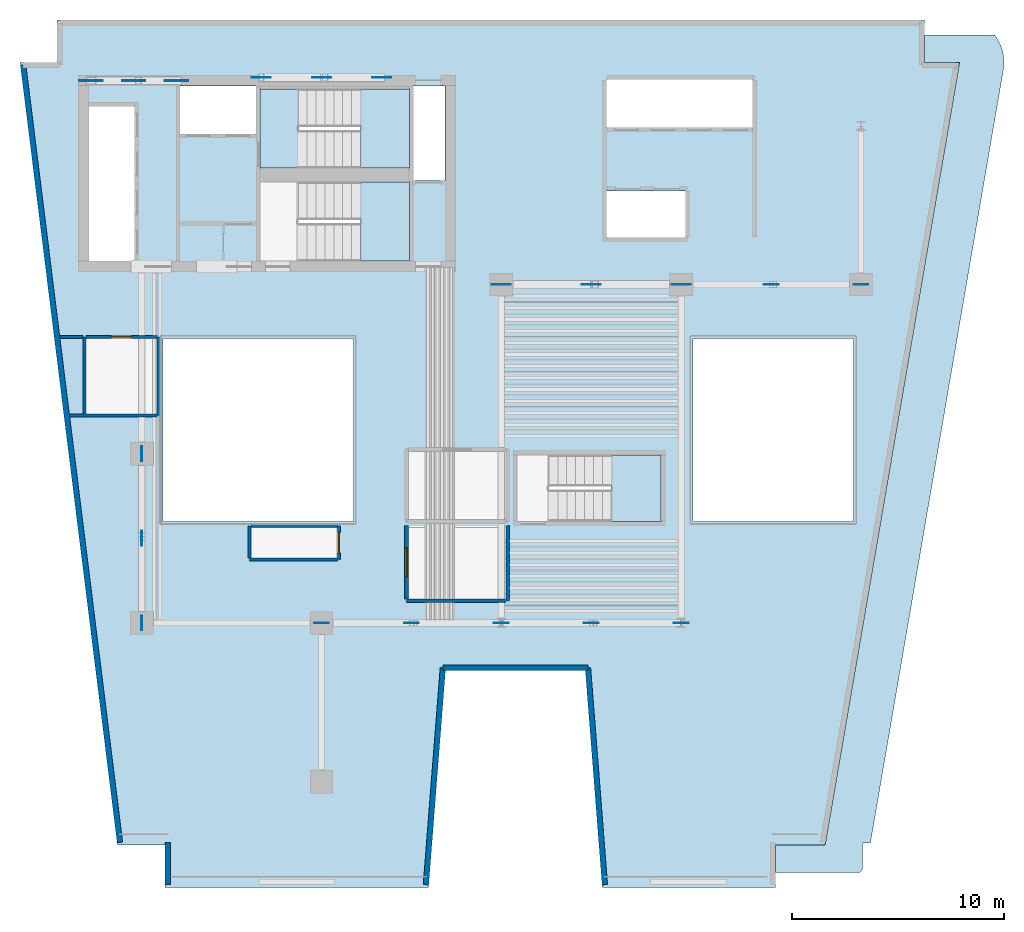
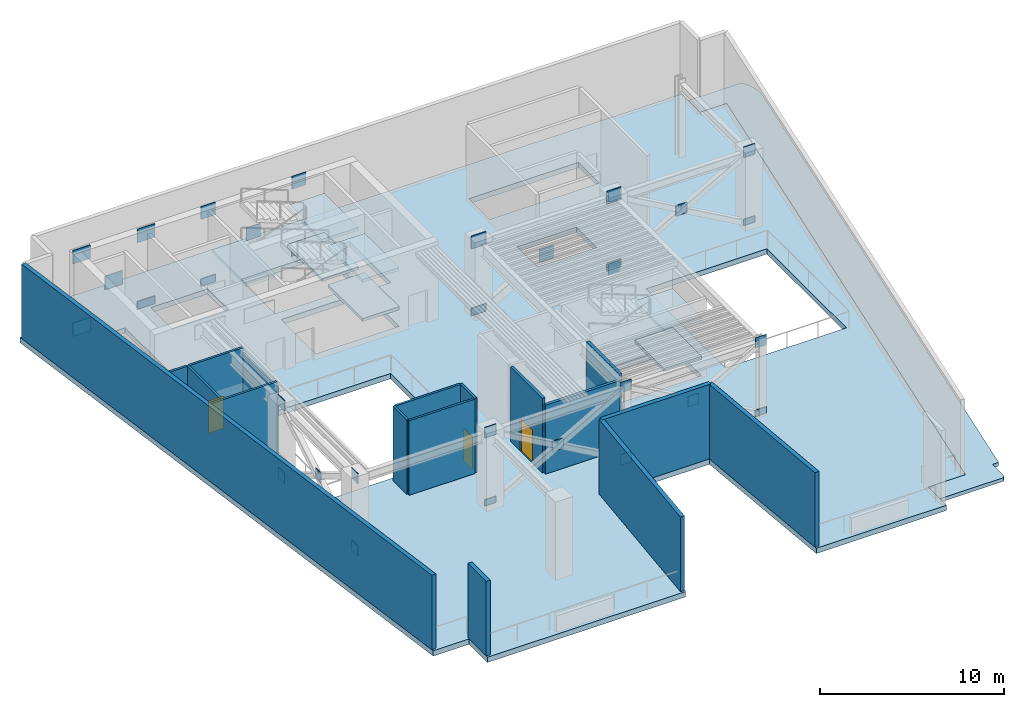
# One storey, part 2 of 8: 33 plates, 17 walls, 9 slabs, 3 doors, 3 openings, 3 elements without a shape of their own.
"""IFC4 building model written with IfcOpenShell, lengths in metres."""

from ifc_helpers import new_model, si_unit, direction, frame, frame_2d, origin, origin_2d, place, context, subcontext, project, spatial, polyline, rectangle, outline, extrude, material, layer, layer_set, type_object, element, fill, aggregate, save


model = new_model("IFC4")

# Units and contexts
model_context = context("Model", 3, precision=1e-05, world=origin(), true_north=direction((0.0, 1.0)))
body_context = subcontext(model_context, "Body", "Model", "MODEL_VIEW")
ifc_project = project(units=[si_unit("LENGTHUNIT", "METRE"), si_unit("AREAUNIT", "SQUARE_METRE"), si_unit("VOLUMEUNIT", "CUBIC_METRE"), si_unit("PLANEANGLEUNIT", "RADIAN"), si_unit("MASSUNIT", "GRAM", prefix="KILO")], contexts=[model_context])

# Site, building, storey
site_placement = place(None, origin())
site = spatial("IfcSite", under=ifc_project, at=site_placement, CompositionType="ELEMENT")
building_placement = place(site_placement, origin())
building = spatial("IfcBuilding", under=site, at=building_placement, Name="Caeloran Harvest Quay", CompositionType="ELEMENT")
storey_placement = place(building_placement, frame((0.0, 0.0, 178.550048828125)))
storey = spatial("IfcBuildingStorey", under=building, at=storey_placement, Name="L42", CompositionType="ELEMENT", Elevation=178.550048828125)

# Plates
ifc_material_1 = material(Name="Steel HISTAR 460", Category="steel")
ifc_layer_1 = layer(ifc_material_1, 0.034912109375, Name="Steel HISTAR 460")
ifc_layer_set_1 = layer_set([ifc_layer_1], Name="Steel HISTAR 460")
plate_type_1 = type_object("IfcPlateType", Name="PLT-KN1-35MM", PredefinedType="SHEET", material=ifc_layer_set_1)
for number, where, z_axis, x_axis, name in (
    (1, (8.5, 15.0, -0.2900390625), (0.0, 0.0, 1.0), (0.0, 1.0, 0.0), "L42 Belt Truss Node and X-Crossing Plate BELT-W1 A-BOT"),
    (2, (8.5, 15.0, 4.52001953125), (0.0, 0.0, 1.0), (0.0, 1.0, 0.0), "L42 Belt Truss Node and X-Crossing Plate BELT-W1 A-TOP"),
    (3, (8.5, 19.0, 2.11474609375), (0.0, 0.0, 1.0), (0.0, 1.0, 0.0), "L42 Belt Truss Node and X-Crossing Plate BELT-W1 XMID"),
    (4, (8.5, 23.0, 4.52001953125), (0.0, 0.0, 1.0), (0.0, 1.0, 0.0), "L42 Belt Truss Node and X-Crossing Plate BELT-W1 B-TOP"),
    (5, (8.5, 23.0, -0.2900390625), (0.0, 0.0, 1.0), (0.0, 1.0, 0.0), "L42 Belt Truss Node and X-Crossing Plate BELT-W1 B-BOT"),
    (6, (17.0, 15.0, -0.2900390625), (0.0, 0.0, 1.0), (1.0, 0.0, 0.0), "L42 Belt Truss Node and X-Crossing Plate BELT-S2 A-BOT"),
    (7, (17.0, 15.0, 4.52001953125), (0.0, 0.0, 1.0), (1.0, 0.0, 0.0), "L42 Belt Truss Node and X-Crossing Plate BELT-S2 A-TOP"),
    (8, (21.25, 15.0, 2.11474609375), (0.0, 0.0, 1.0), (1.0, 0.0, 0.0), "L42 Belt Truss Node and X-Crossing Plate BELT-S2 XMID"),
    (9, (25.5, 15.0, 4.52001953125), (0.0, 0.0, 1.0), (1.0, 0.0, 0.0), "L42 Belt Truss Node and X-Crossing Plate BELT-S2 B-TOP"),
    (10, (25.5, 15.0, -0.2900390625), (0.0, 0.0, 1.0), (1.0, 0.0, 0.0), "L42 Belt Truss Node and X-Crossing Plate BELT-S2 B-BOT"),
    (11, (29.75, 15.0, 2.11474609375), (0.0, 0.0, 1.0), (1.0, 0.0, 0.0), "L42 Belt Truss Node and X-Crossing Plate BELT-S3 XMID"),
    (12, (34.0, 15.0, 4.52001953125), (0.0, 0.0, 1.0), (1.0, 0.0, 0.0), "L42 Belt Truss Node and X-Crossing Plate BELT-S3 B-TOP"),
    (13, (34.0, 15.0, -0.2900390625), (0.0, 0.0, 1.0), (1.0, 0.0, 0.0), "L42 Belt Truss Node and X-Crossing Plate BELT-S3 B-BOT"),
    (14, (34.0, 31.0, -0.2900390625), (0.0, 0.0, 1.0), (1.0, 0.0, 0.0), "L42 Belt Truss Node and X-Crossing Plate BELT-N2 A-BOT"),
    (15, (34.0, 31.0, 4.52001953125), (0.0, 0.0, 1.0), (1.0, 0.0, 0.0), "L42 Belt Truss Node and X-Crossing Plate BELT-N2 A-TOP"),
    (16, (38.25, 31.0, 2.11474609375), (0.0, 0.0, 1.0), (1.0, 0.0, 0.0), "L42 Belt Truss Node and X-Crossing Plate BELT-N2 XMID"),
    (17, (42.5, 31.0, 4.52001953125), (0.0, 0.0, 1.0), (1.0, 0.0, 0.0), "L42 Belt Truss Node and X-Crossing Plate BELT-N2 B-TOP"),
    (18, (42.5, 31.0, -0.2900390625), (0.0, 0.0, 1.0), (1.0, 0.0, 0.0), "L42 Belt Truss Node and X-Crossing Plate BELT-N2 B-BOT"),
):
    element("IfcPlate", number, at=place(storey_placement, frame(where, z_axis=z_axis, x_axis=x_axis)), inside=storey, type_object=plate_type_1, Name=name, PredefinedType="SHEET", context=body_context, shape_type="SweptSolid", body=[
        extrude(rectangle(XDim=0.699951171875, YDim=0.034912109375, at=origin_2d()), origin(), (0.0, 0.0, 1.0), 0.699951171875),
    ])
ifc_layer_2 = layer(ifc_material_1, 0.044921875, Name="Steel HISTAR 460")
ifc_layer_set_2 = layer_set([ifc_layer_2], Name="Steel HISTAR 460")
plate_type_2 = type_object("IfcPlateType", Name="PLT-ON1-45MM", PredefinedType="SHEET", material=ifc_layer_set_2)
for number, where, z_axis, x_axis, name in (
    (19, (6.10009765625, 40.625, -0.389892578125), (0.0, 0.0, 1.0), (1.0, 0.0, 0.0), "L42 Outrigger Node Gusset and End Cap Plate N-CORE1 A-BOT"),
    (20, (6.10009765625, 40.625, 4.419921875), (0.0, 0.0, 1.0), (1.0, 0.0, 0.0), "L42 Outrigger Node Gusset and End Cap Plate N-CORE1 A-TOP"),
    (21, (8.125, 40.625, 2.014892578125), (0.0, 0.0, 1.0), (1.0, 0.0, 0.0), "L42 Outrigger Node Gusset and End Cap Plate N-CORE1 XMID"),
    (22, (10.14990234375, 40.625, 4.419921875), (0.0, 0.0, 1.0), (1.0, 0.0, 0.0), "L42 Outrigger Node Gusset and End Cap Plate N-CORE1 B-TOP"),
    (23, (10.14990234375, 40.625, -0.389892578125), (0.0, 0.0, 1.0), (1.0, 0.0, 0.0), "L42 Outrigger Node Gusset and End Cap Plate N-CORE1 B-BOT"),
):
    element("IfcPlate", number, at=place(storey_placement, frame(where, z_axis=z_axis, x_axis=x_axis)), inside=storey, type_object=plate_type_2, Name=name, PredefinedType="SHEET", context=body_context, shape_type="SweptSolid", body=[
        extrude(rectangle(XDim=1.10009765625, YDim=0.044921875, at=origin_2d()), origin(), (0.0, 0.0, 1.0), 0.89990234375),
    ])
ifc_layer_3 = layer(ifc_material_1, 0.0380859375, Name="Steel HISTAR 460")
ifc_layer_set_3 = layer_set([ifc_layer_3], Name="Steel HISTAR 460")
plate_type_3 = type_object("IfcPlateType", Name="PLT-ON2-38MM", PredefinedType="SHEET", material=ifc_layer_set_3)
for number, where, z_axis, x_axis, name in (
    (24, (14.14990234375, 40.780029296875, -0.364990234375), (0.0, 0.0, 1.0), (1.0, 0.0, 0.0), "L42 Outrigger Node Gusset and End Cap Plate N-CORE2 A-BOT"),
    (25, (14.14990234375, 40.780029296875, 4.44482421875), (0.0, 0.0, 1.0), (1.0, 0.0, 0.0), "L42 Outrigger Node Gusset and End Cap Plate N-CORE2 A-TOP"),
    (26, (17.0, 40.780029296875, 2.039794921875), (0.0, 0.0, 1.0), (1.0, 0.0, 0.0), "L42 Outrigger Node Gusset and End Cap Plate N-CORE2 XMID"),
    (27, (19.85009765625, 40.780029296875, 4.44482421875), (0.0, 0.0, 1.0), (1.0, 0.0, 0.0), "L42 Outrigger Node Gusset and End Cap Plate N-CORE2 B-TOP"),
    (28, (19.85009765625, 40.780029296875, -0.364990234375), (0.0, 0.0, 1.0), (1.0, 0.0, 0.0), "L42 Outrigger Node Gusset and End Cap Plate N-CORE2 B-BOT"),
    (29, (25.5, 31.0, -0.364990234375), (0.0, 0.0, 1.0), (1.0, 0.0, 0.0), "L42 Outrigger Node Gusset and End Cap Plate N-CORE3 A-BOT"),
    (30, (25.5, 31.0, 4.44482421875), (0.0, 0.0, 1.0), (1.0, 0.0, 0.0), "L42 Outrigger Node Gusset and End Cap Plate N-CORE3 A-TOP"),
    (31, (29.75, 31.0, 2.039794921875), (0.0, 0.0, 1.0), (1.0, 0.0, 0.0), "L42 Outrigger Node Gusset and End Cap Plate N-CORE3 XMID"),
    (32, (34.0, 31.0, 4.44482421875), (0.0, 0.0, 1.0), (1.0, 0.0, 0.0), "L42 Outrigger Node Gusset and End Cap Plate N-CORE3 B-TOP"),
    (33, (34.0, 31.0, -0.364990234375), (0.0, 0.0, 1.0), (1.0, 0.0, 0.0), "L42 Outrigger Node Gusset and End Cap Plate N-CORE3 B-BOT"),
):
    element("IfcPlate", number, at=place(storey_placement, frame(where, z_axis=z_axis, x_axis=x_axis)), inside=storey, type_object=plate_type_3, Name=name, PredefinedType="SHEET", context=body_context, shape_type="SweptSolid", body=[
        extrude(rectangle(XDim=0.89990234375, YDim=0.0380859375, at=origin_2d()), origin(), (0.0, 0.0, 1.0), 0.85009765625),
    ])

# Slabs
ifc_material_2 = material(Name="Concrete C50/60", Category="concrete")
ifc_layer_4 = layer(ifc_material_2, 0.35009765625, Name="Concrete C50/60")
ifc_layer_set_4 = layer_set([ifc_layer_4], Name="Concrete C50/60")
slab_type_1 = type_object("IfcSlabType", Name="SLAB-FS-350", PredefinedType="FLOOR", material=ifc_layer_set_4)
slab_1_placement = place(storey_placement, frame((0.0, 0.0, -0.35009765625)))
element("IfcSlab", 34, at=slab_1_placement, inside=storey, type_object=slab_type_1, Name="L42 Structural Floor Slab", PredefinedType="FLOOR", context=body_context, shape_type="SweptSolid", body=[
    extrude(outline(polyline([(9.60302734375, 2.5), (22.056884765625, 2.5), (22.85693359375, 12.75), (29.469482421875, 12.75), (30.26953125, 2.5), (38.452880859375, 2.5), (38.452880859375, 4.5), (40.796875, 4.5), (47.15625, 41.5), (45.5, 41.5), (45.5, 43.5), (4.5, 43.5), (4.5, 41.5), (2.748779296875, 41.5), (7.35400390625, 4.5), (9.60302734375, 4.5), (9.60302734375, 2.5)]), holes=[polyline([(27.75, 19.800048828125), (27.75, 22.949951171875), (33.050048828125, 22.949951171875), (33.050048828125, 19.800048828125), (27.75, 19.800048828125)]), polyline([(18.5, 19.800048828125), (9.5, 19.800048828125), (9.5, 28.449951171875), (18.5, 28.449951171875), (18.5, 19.800048828125)]), polyline([(42.14990234375, 19.800048828125), (34.550048828125, 19.800048828125), (34.550048828125, 28.449951171875), (42.14990234375, 28.449951171875), (42.14990234375, 19.800048828125)]), polyline([(15.89990234375, 35.85009765625), (21.14990234375, 35.85009765625), (21.14990234375, 32.10009765625), (15.89990234375, 32.10009765625), (15.89990234375, 35.85009765625)]), polyline([(30.47998046875, 33.219970703125), (30.47998046875, 35.429931640625), (34.199951171875, 35.429931640625), (34.199951171875, 33.219970703125), (30.47998046875, 33.219970703125)]), polyline([(8.159912109375, 32.1201171875), (6.02001953125, 32.1201171875), (6.02001953125, 39.419921875), (8.159912109375, 39.419921875), (8.159912109375, 32.1201171875)]), polyline([(22.830078125, 35.919921875), (21.35009765625, 35.919921875), (21.35009765625, 40.3798828125), (22.830078125, 40.3798828125), (22.830078125, 35.919921875)]), polyline([(15.89990234375, 36.5), (15.89990234375, 40.25), (21.14990234375, 40.25), (21.14990234375, 36.5), (15.89990234375, 36.5)]), polyline([(10.320068359375, 38.1201171875), (10.320068359375, 40.3798828125), (13.89990234375, 40.3798828125), (13.89990234375, 38.1201171875), (10.320068359375, 38.1201171875)]), polyline([(30.47998046875, 38.419921875), (30.47998046875, 40.679931640625), (37.3798828125, 40.679931640625), (37.3798828125, 38.419921875), (30.47998046875, 38.419921875)])]), origin(), (0.0, 0.0, 1.0), 0.35009765625),
])
ifc_layer_5 = layer(ifc_material_2, 0.239990234375, Name="Concrete C50/60")
ifc_layer_set_5 = layer_set([ifc_layer_5], Name="Concrete C50/60")
slab_type_2 = type_object("IfcSlabType", Name="SLAB-TR-240", PredefinedType="ROOF", material=ifc_layer_set_5)
slab_2_placement = place(storey_placement, frame((0.0, 0.0, -0.239990234375)))
element("IfcSlab", 35, at=slab_2_placement, inside=storey, type_object=slab_type_2, Name="L42 Step-Back Roof Slab 1", PredefinedType="ROOF", context=body_context, shape_type="SweptSolid", body=[
    extrude(outline(polyline([(49.08203125, 42.33740234375), (49.15380859375, 42.1474609375), (49.20703125, 41.951416015625), (49.2412109375, 41.751220703125), (49.255615234375, 41.548828125), (49.25048828125, 41.345703125), (49.225830078125, 41.144287109375), (42.94482421875, 4.60009765625), (42.570068359375, 4.60009765625), (42.570068359375, 3.3759765625), (42.564453125, 3.3662109375), (42.452880859375, 3.2099609375), (38.452880859375, 3.2099609375), (38.452880859375, 4.5), (40.796875, 4.5), (47.15625, 41.5), (45.5, 41.5), (45.5, 42.7900390625), (48.810302734375, 42.7900390625), (48.88525390625, 42.69189453125), (48.9921875, 42.519287109375), (49.08203125, 42.33740234375)])), origin(), (0.0, 0.0, 1.0), 0.239990234375),
])

# Stair, slabs
stair_type_1 = type_object("IfcStairType", Name="STAIR-STC-180", PredefinedType="HALF_TURN_STAIR", material=ifc_material_2)
stair_1_placement = place(storey_placement, origin())
stair_1 = element("IfcStair", 36, at=stair_1_placement, inside=storey, type_object=stair_type_1, Name="L42 Core Pressurized Exit Stair ST-C1", PredefinedType="HALF_TURN_STAIR")
ifc_layer_6 = layer(ifc_material_2, 0.219970703125, Name="Concrete C50/60")
ifc_layer_set_6 = layer_set([ifc_layer_6], Name="Concrete C50/60")
slab_type_3 = type_object("IfcSlabType", Name="STAIR-LANDING-220", PredefinedType="LANDING", material=ifc_layer_set_6)
slab_3_placement = place(storey_placement, frame((0.0, 0.0, 1.099853515625)))
slab_3 = element("IfcSlab", 37, at=slab_3_placement, type_object=slab_type_3, Name="ST-C1 landing 1", PredefinedType="LANDING", context=body_context, shape_type="SweptSolid", body=[
    extrude(outline(polyline([(18.840087890625, 36.5), (21.14990234375, 36.5), (21.14990234375, 40.25), (18.840087890625, 40.25), (18.840087890625, 36.5)])), origin(), (0.0, 0.0, 1.0), 0.2001953125),
])
slab_4_placement = place(storey_placement, frame((0.0, 0.0, 2.39990234375)))
slab_4 = element("IfcSlab", 38, at=slab_4_placement, type_object=slab_type_3, Name="ST-C1 landing 2", PredefinedType="LANDING", context=body_context, shape_type="SweptSolid", body=[
    extrude(outline(polyline([(14.10009765625, 36.5), (15.89990234375, 36.5), (15.89990234375, 40.25), (14.10009765625, 40.25), (14.10009765625, 36.5)])), origin(), (0.0, 0.0, 1.0), 0.199951171875),
])
slab_5_placement = place(storey_placement, frame((0.0, 0.0, 3.699951171875)))
slab_5 = element("IfcSlab", 39, at=slab_5_placement, type_object=slab_type_3, Name="ST-C1 landing 3", PredefinedType="LANDING", context=body_context, shape_type="SweptSolid", body=[
    extrude(outline(polyline([(18.840087890625, 36.5), (21.14990234375, 36.5), (21.14990234375, 40.25), (18.840087890625, 40.25), (18.840087890625, 36.5)])), origin(), (0.0, 0.0, 1.0), 0.199951171875),
])
aggregate(stair_1, [slab_3, slab_4, slab_5])

stair_2_placement = place(storey_placement, origin())
stair_2 = element("IfcStair", 40, at=stair_2_placement, inside=storey, type_object=stair_type_1, Name="L42 Core Pressurized Exit Stair ST-C2", PredefinedType="HALF_TURN_STAIR")
slab_6_placement = place(storey_placement, frame((0.0, 0.0, 1.099853515625)))
slab_6 = element("IfcSlab", 41, at=slab_6_placement, type_object=slab_type_3, Name="ST-C2 landing 1", PredefinedType="LANDING", context=body_context, shape_type="SweptSolid", body=[
    extrude(outline(polyline([(18.840087890625, 32.10009765625), (21.14990234375, 32.10009765625), (21.14990234375, 35.85009765625), (18.840087890625, 35.85009765625), (18.840087890625, 32.10009765625)])), origin(), (0.0, 0.0, 1.0), 0.2001953125),
])
slab_7_placement = place(storey_placement, frame((0.0, 0.0, 3.699951171875)))
slab_7 = element("IfcSlab", 42, at=slab_7_placement, type_object=slab_type_3, Name="ST-C2 landing 3", PredefinedType="LANDING", context=body_context, shape_type="SweptSolid", body=[
    extrude(outline(polyline([(18.840087890625, 32.10009765625), (21.14990234375, 32.10009765625), (21.14990234375, 35.85009765625), (18.840087890625, 35.85009765625), (18.840087890625, 32.10009765625)])), origin(), (0.0, 0.0, 1.0), 0.199951171875),
])
aggregate(stair_2, [slab_6, slab_7])

stair_type_2 = type_object("IfcStairType", Name="STAIR-STW-150", PredefinedType="HALF_TURN_STAIR", material=ifc_material_2)
stair_3_placement = place(storey_placement, origin())
stair_3 = element("IfcStair", 43, at=stair_3_placement, inside=storey, type_object=stair_type_2, Name="L42 East Wing Protected Exit Stair ST-W1", PredefinedType="HALF_TURN_STAIR")
slab_8_placement = place(storey_placement, frame((0.0, 0.0, 1.099853515625)))
slab_8 = element("IfcSlab", 44, at=slab_8_placement, type_object=slab_type_3, Name="ST-W1 landing 1", PredefinedType="LANDING", context=body_context, shape_type="SweptSolid", body=[
    extrude(outline(polyline([(30.68994140625, 19.800048828125), (33.050048828125, 19.800048828125), (33.050048828125, 22.949951171875), (30.68994140625, 22.949951171875), (30.68994140625, 19.800048828125)])), origin(), (0.0, 0.0, 1.0), 0.2001953125),
])
slab_9_placement = place(storey_placement, frame((0.0, 0.0, 3.699951171875)))
slab_9 = element("IfcSlab", 45, at=slab_9_placement, type_object=slab_type_3, Name="ST-W1 landing 3", PredefinedType="LANDING", context=body_context, shape_type="SweptSolid", body=[
    extrude(outline(polyline([(30.68994140625, 19.800048828125), (33.050048828125, 19.800048828125), (33.050048828125, 22.949951171875), (30.68994140625, 22.949951171875), (30.68994140625, 19.800048828125)])), origin(), (0.0, 0.0, 1.0), 0.199951171875),
])
aggregate(stair_3, [slab_8, slab_9])

# Walls
ifc_material_3 = material(Name="Precast concrete C50/60", Category="concrete")
ifc_layer_7 = layer(ifc_material_3, 0.260009765625, Name="Precast concrete C50/60")
ifc_layer_set_7 = layer_set([ifc_layer_7], Name="Precast concrete C50/60")
wall_type_1 = type_object("IfcWallType", Name="ENV-WALL-EW-260", PredefinedType="STANDARD", material=ifc_layer_set_7)
wall_1_placement = place(storey_placement, frame((9.73291015625, 2.6298828125, 0.0), z_axis=(0.0, 0.0, 1.0), x_axis=(0.0, 1.0, 0.0)))
element("IfcWall", 46, at=wall_1_placement, inside=storey, type_object=wall_type_1, Name="L42 Exterior Precast Concrete Facade Wall 1", PredefinedType="STANDARD", context=body_context, shape_type="SweptSolid", body=[
    extrude(rectangle(XDim=2.0, YDim=0.260009765625, at=frame_2d((1.0, 0.0))), origin(), (0.0, 0.0, 1.0), 4.949951171875),
])
wall_2_placement = place(storey_placement, frame((7.468994140625, 4.6298828125, 0.0), z_axis=(0.0, 0.0, 1.0), x_axis=(-0.123515300309, 0.992342667928, 0.0)))
element("IfcWall", 47, at=wall_2_placement, inside=storey, type_object=wall_type_1, Name="L42 Exterior Precast Concrete Facade Wall 3", PredefinedType="STANDARD", context=body_context, shape_type="SweptSolid", body=[
    extrude(rectangle(XDim=37.023681640625, YDim=0.260009765625, at=frame_2d((18.51171875, 0.0))), origin(), (0.0, 0.0, 1.0), 4.949951171875),
])
wall_3_placement = place(storey_placement, frame((30.3896484375, 2.6298828125, 0.0), z_axis=(0.0, 0.0, 1.0), x_axis=(-0.077816860153, 0.996967670627, 0.0)))
element("IfcWall", 48, at=wall_3_placement, inside=storey, type_object=wall_type_1, Name="L42 Exterior Precast Concrete Facade Wall 13", PredefinedType="STANDARD", context=body_context, shape_type="SweptSolid", body=[
    extrude(rectangle(XDim=10.28125, YDim=0.260009765625, at=frame_2d((5.140625, 0.0))), origin(), (0.0, 0.0, 1.0), 4.949951171875),
])
wall_4_placement = place(storey_placement, frame((29.589599609375, 12.8798828125, 0.0), z_axis=(0.0, 0.0, 1.0), x_axis=(-1.0, 0.0, 0.0)))
element("IfcWall", 49, at=wall_4_placement, inside=storey, type_object=wall_type_1, Name="L42 Exterior Precast Concrete Facade Wall 14", PredefinedType="STANDARD", context=body_context, shape_type="SweptSolid", body=[
    extrude(rectangle(XDim=6.852783203125, YDim=0.260009765625, at=frame_2d((3.42626953125, 0.0))), origin(), (0.0, 0.0, 1.0), 4.949951171875),
])
wall_5_placement = place(storey_placement, frame((22.73681640625, 12.8798828125, 0.0), z_axis=(0.0, 0.0, 1.0), x_axis=(-0.077816860153, -0.996967670627, 0.0)))
element("IfcWall", 50, at=wall_5_placement, inside=storey, type_object=wall_type_1, Name="L42 Exterior Precast Concrete Facade Wall 15", PredefinedType="STANDARD", context=body_context, shape_type="SweptSolid", body=[
    extrude(rectangle(XDim=10.28125, YDim=0.260009765625, at=frame_2d((5.140625, 0.0))), origin(), (0.0, 0.0, 1.0), 4.949951171875),
])

# Wall, opening, door
ifc_material_4 = material(Name="Moisture-Resistant Cement-Board Sanitary Partition", Category="gypsum")
ifc_layer_8 = layer(ifc_material_4, 0.139892578125, Name="Moisture-Resistant Cement-Board Sanitary Partition")
ifc_layer_set_8 = layer_set([ifc_layer_8], Name="Moisture-Resistant Cement-Board Sanitary Partition")
wall_type_2 = type_object("IfcWallType", Name="INT-WALL-PW-140", PredefinedType="PARTITIONING", material=ifc_layer_set_8)
wall_6_placement = place(storey_placement, frame((17.820068359375, 19.590087890625, 0.0), z_axis=(0.0, 0.0, 1.0), x_axis=(0.0, -1.0, 0.0)))
wall_6 = element("IfcWall", 51, at=wall_6_placement, inside=storey, type_object=wall_type_2, Name="L42 Refuge Male Washroom WC Partition Wall", PredefinedType="PARTITIONING", context=body_context, shape_type="SweptSolid", body=[
    extrude(rectangle(XDim=1.590087890625, YDim=0.139892578125, at=frame_2d((0.794921875, 0.0))), origin(), (0.0, 0.0, 1.0), 4.949951171875),
])
opening_1_placement = place(wall_6_placement, frame((0.320068359375, 0.0, 0.0)))
opening_1 = element("IfcOpeningElement", 52, at=opening_1_placement, cuts=wall_6, Name="Opening WC-01", PredefinedType="OPENING", context=body_context, shape_type="SweptSolid", body=[
    extrude(rectangle(XDim=0.949951171875, YDim=2.14990234375, at=frame_2d((0.47509765625, 1.074951171875))), frame((0.0, 0.080078125, 0.0), z_axis=(0.0, -1.0, 0.0), x_axis=(1.0, 0.0, 0.0)), (0.0, 0.0, 1.0), 0.159912109375),
])
ifc_material_5 = material(Name="High-Pressure Laminate Moisture-Resistant Timber", Category="wood")
door_type_1 = type_object("IfcDoorType", Name="INTDOOR-WC-01", OperationType="NOTDEFINED", PredefinedType="DOOR", material=ifc_material_5)
door_1_placement = place(opening_1_placement, origin())
door_1 = element("IfcDoor", 53, at=door_1_placement, inside=storey, type_object=door_type_1, Name="L42 Refuge Male Washroom WC Access Door", OperationType="SINGLE_SWING_LEFT", OverallHeight=2.14990234375, OverallWidth=0.949951171875, PredefinedType="DOOR", context=body_context, shape_type="SweptSolid", body=[
    extrude(rectangle(XDim=0.949951171875, YDim=2.14990234375, at=frame_2d((0.47509765625, 1.074951171875))), frame((0.0, 0.02490234375, 0.0), z_axis=(0.0, -1.0, 0.0), x_axis=(1.0, 0.0, 0.0)), (0.0, 0.0, 1.0), 0.050048828125),
])
fill(opening_1, door_1)

# Walls
wall_7_placement = place(storey_placement, frame((17.7451171875, 18.0, 0.0), z_axis=(0.0, 0.0, 1.0), x_axis=(-1.0, 0.0, 0.0)))
element("IfcWall", 54, at=wall_7_placement, inside=storey, type_object=wall_type_2, Name="L42 Refuge Male Washroom WC Partition Wall", PredefinedType="PARTITIONING", context=body_context, shape_type="SweptSolid", body=[
    extrude(rectangle(XDim=4.14501953125, YDim=0.139892578125, at=frame_2d((2.072509765625, 0.0))), origin(), (0.0, 0.0, 1.0), 4.949951171875),
])
wall_8_placement = place(storey_placement, frame((13.60009765625, 18.074951171875, 0.0), z_axis=(0.0, 0.0, 1.0), x_axis=(0.0, 1.0, 0.0)))
element("IfcWall", 55, at=wall_8_placement, inside=storey, type_object=wall_type_2, Name="L42 Refuge Male Washroom WC Partition Wall", PredefinedType="PARTITIONING", context=body_context, shape_type="SweptSolid", body=[
    extrude(rectangle(XDim=1.51513671875, YDim=0.139892578125, at=frame_2d((0.757568359375, 0.0))), origin(), (0.0, 0.0, 1.0), 4.949951171875),
])
wall_9_placement = place(storey_placement, frame((13.675048828125, 19.590087890625, 0.0), z_axis=(0.0, 0.0, 1.0), x_axis=(1.0, 0.0, 0.0)))
element("IfcWall", 56, at=wall_9_placement, inside=storey, type_object=wall_type_2, Name="L42 Refuge Male Washroom WC Partition Wall", PredefinedType="PARTITIONING", context=body_context, shape_type="SweptSolid", body=[
    extrude(rectangle(XDim=4.070068359375, YDim=0.139892578125, at=frame_2d((2.03515625, 0.0))), origin(), (0.0, 0.0, 1.0), 4.949951171875),
])
wall_10_placement = place(storey_placement, frame((9.2900390625, 28.52001953125, 0.0), z_axis=(0.0, 0.0, 1.0), x_axis=(0.0, -1.0, 0.0)))
element("IfcWall", 57, at=wall_10_placement, inside=storey, type_object=wall_type_2, Name="L42 Refuge Accessible Unisex Washroom WC Partition Wall", PredefinedType="PARTITIONING", context=body_context, shape_type="SweptSolid", body=[
    extrude(rectangle(XDim=3.719970703125, YDim=0.139892578125, at=frame_2d((1.85986328125, 0.0))), origin(), (0.0, 0.0, 1.0), 4.574951171875),
])
wall_11_placement = place(storey_placement, frame((9.215087890625, 24.800048828125, 0.0), z_axis=(0.0, 0.0, 1.0), x_axis=(-1.0, 0.0, 0.0)))
element("IfcWall", 58, at=wall_11_placement, inside=storey, type_object=wall_type_2, Name="L42 Refuge Accessible Unisex Washroom WC Partition Wall", PredefinedType="PARTITIONING", context=body_context, shape_type="SweptSolid", body=[
    extrude(rectangle(XDim=4.12060546875, YDim=0.139892578125, at=frame_2d((2.060302734375, 0.0))), origin(), (0.0, 0.0, 1.0), 4.949951171875),
])
wall_12_placement = place(storey_placement, frame((5.800048828125, 24.875, 0.0), z_axis=(0.0, 0.0, 1.0), x_axis=(0.0, 1.0, 0.0)))
element("IfcWall", 59, at=wall_12_placement, inside=storey, type_object=wall_type_2, Name="L42 Refuge Accessible Unisex Washroom WC Partition Wall", PredefinedType="PARTITIONING", context=body_context, shape_type="SweptSolid", body=[
    extrude(rectangle(XDim=3.64501953125, YDim=0.139892578125, at=frame_2d((1.822509765625, 0.0))), origin(), (0.0, 0.0, 1.0), 4.949951171875),
])
wall_13_placement = place(storey_placement, frame((4.631591796875, 28.52001953125, 0.0), z_axis=(0.0, 0.0, 1.0), x_axis=(1.0, 0.0, 0.0)))
element("IfcWall", 60, at=wall_13_placement, inside=storey, type_object=wall_type_2, Name="L42 Refuge Accessible Unisex Washroom WC Partition Wall", PredefinedType="PARTITIONING", context=body_context, shape_type="SweptSolid", body=[
    extrude(rectangle(XDim=1.093505859375, YDim=0.139892578125, at=frame_2d((0.546875, 0.0))), origin(), (0.0, 0.0, 1.0), 4.949951171875),
])

# Wall, opening, door
wall_14_placement = place(storey_placement, frame((5.875, 28.52001953125, 0.0), z_axis=(0.0, 0.0, 1.0), x_axis=(1.0, 0.0, 0.0)))
wall_14 = element("IfcWall", 61, at=wall_14_placement, inside=storey, type_object=wall_type_2, Name="L42 Refuge Accessible Unisex Washroom WC Partition Wall", PredefinedType="PARTITIONING", context=body_context, shape_type="SweptSolid", body=[
    extrude(rectangle(XDim=3.340087890625, YDim=0.139892578125, at=frame_2d((1.669921875, 0.0))), origin(), (0.0, 0.0, 1.0), 4.949951171875),
])
opening_2_placement = place(wall_14_placement, frame((1.195068359375, 0.0, 0.0)))
opening_2 = element("IfcOpeningElement", 62, at=opening_2_placement, cuts=wall_14, Name="Opening WC-01", PredefinedType="OPENING", context=body_context, shape_type="SweptSolid", body=[
    extrude(rectangle(XDim=0.949951171875, YDim=2.14990234375, at=frame_2d((0.47509765625, 1.074951171875))), frame((0.0, 0.080078125, 0.0), z_axis=(0.0, -1.0, 0.0), x_axis=(1.0, 0.0, 0.0)), (0.0, 0.0, 1.0), 0.159912109375),
])
door_2_placement = place(opening_2_placement, origin())
door_2 = element("IfcDoor", 63, at=door_2_placement, inside=storey, type_object=door_type_1, Name="L42 Refuge Accessible Unisex Washroom WC Access Door", OperationType="SINGLE_SWING_RIGHT", OverallHeight=2.14990234375, OverallWidth=0.949951171875, PredefinedType="DOOR", context=body_context, shape_type="SweptSolid", body=[
    extrude(rectangle(XDim=0.949951171875, YDim=2.14990234375, at=frame_2d((0.47509765625, 1.074951171875))), frame((0.0, 0.02490234375, 0.0), z_axis=(0.0, -1.0, 0.0), x_axis=(1.0, 0.0, 0.0)), (0.0, 0.0, 1.0), 0.050048828125),
])
fill(opening_2, door_2)

# Walls
ifc_material_6 = material(Name="Autoclaved Aerated Concrete Blockwork", Category="masonry")
ifc_layer_9 = layer(ifc_material_6, 0.179931640625, Name="Autoclaved Aerated Concrete Blockwork")
ifc_layer_set_9 = layer_set([ifc_layer_9], Name="Autoclaved Aerated Concrete Blockwork")
wall_type_3 = type_object("IfcWallType", Name="INT-WALL-PW-180", PredefinedType="PARTITIONING", material=ifc_layer_set_9)
wall_15_placement = place(storey_placement, frame((25.800048828125, 19.60009765625, 0.0), z_axis=(0.0, 0.0, 1.0), x_axis=(0.0, -1.0, 0.0)))
element("IfcWall", 64, at=wall_15_placement, inside=storey, type_object=wall_type_3, Name="L42 Zone Chilled-Water Heat Exchanger and Pump Plant Room Partition Wall", PredefinedType="PARTITIONING", context=body_context, shape_type="SweptSolid", body=[
    extrude(rectangle(XDim=3.550048828125, YDim=0.179931640625, at=frame_2d((1.77490234375, 0.0))), origin(), (0.0, 0.0, 1.0), 4.949951171875),
])
wall_16_placement = place(storey_placement, frame((25.705078125, 16.050048828125, 0.0), z_axis=(0.0, 0.0, 1.0), x_axis=(-1.0, 0.0, 0.0)))
element("IfcWall", 65, at=wall_16_placement, inside=storey, type_object=wall_type_3, Name="L42 Zone Chilled-Water Heat Exchanger and Pump Plant Room Partition Wall", PredefinedType="PARTITIONING", context=body_context, shape_type="SweptSolid", body=[
    extrude(rectangle(XDim=4.68505859375, YDim=0.179931640625, at=frame_2d((2.342529296875, 0.0))), origin(), (0.0, 0.0, 1.0), 4.574951171875),
])

# Wall, opening, door
wall_17_placement = place(storey_placement, frame((21.02001953125, 16.14501953125, 0.0), z_axis=(0.0, 0.0, 1.0), x_axis=(0.0, 1.0, 0.0)))
wall_17 = element("IfcWall", 66, at=wall_17_placement, inside=storey, type_object=wall_type_3, Name="L42 Zone Chilled-Water Heat Exchanger and Pump Plant Room Partition Wall", PredefinedType="PARTITIONING", context=body_context, shape_type="SweptSolid", body=[
    extrude(rectangle(XDim=3.455078125, YDim=0.179931640625, at=frame_2d((1.7275390625, 0.0))), origin(), (0.0, 0.0, 1.0), 4.949951171875),
])
opening_3_placement = place(wall_17_placement, frame((1.052490234375, 0.0, 0.0)))
opening_3 = element("IfcOpeningElement", 67, at=opening_3_placement, cuts=wall_17, Name="Opening ID-02", PredefinedType="OPENING", context=body_context, shape_type="SweptSolid", body=[
    extrude(rectangle(XDim=1.35009765625, YDim=2.199951171875, at=frame_2d((0.675048828125, 1.10009765625))), frame((0.0, 0.10009765625, 0.0), z_axis=(0.0, -1.0, 0.0), x_axis=(1.0, 0.0, 0.0)), (0.0, 0.0, 1.0), 0.199951171875),
])
ifc_material_7 = material(Name="Powder-Coated Steel Acoustic Leaf", Category="steel")
door_type_2 = type_object("IfcDoorType", Name="INTDOOR-ID-02", OperationType="NOTDEFINED", PredefinedType="DOOR", material=ifc_material_7)
door_3_placement = place(opening_3_placement, origin())
door_3 = element("IfcDoor", 68, at=door_3_placement, inside=storey, type_object=door_type_2, Name="L42 Zone Chilled-Water Heat Exchanger and Pump Plant Room Access Door", OperationType="SINGLE_SWING_RIGHT", OverallHeight=2.199951171875, OverallWidth=1.35009765625, PredefinedType="DOOR", context=body_context, shape_type="SweptSolid", body=[
    extrude(rectangle(XDim=1.35009765625, YDim=2.199951171875, at=frame_2d((0.675048828125, 1.10009765625))), frame((0.0, 0.02490234375, 0.0), z_axis=(0.0, -1.0, 0.0), x_axis=(1.0, 0.0, 0.0)), (0.0, 0.0, 1.0), 0.050048828125),
])
fill(opening_3, door_3)

save(model, "model.ifc")
